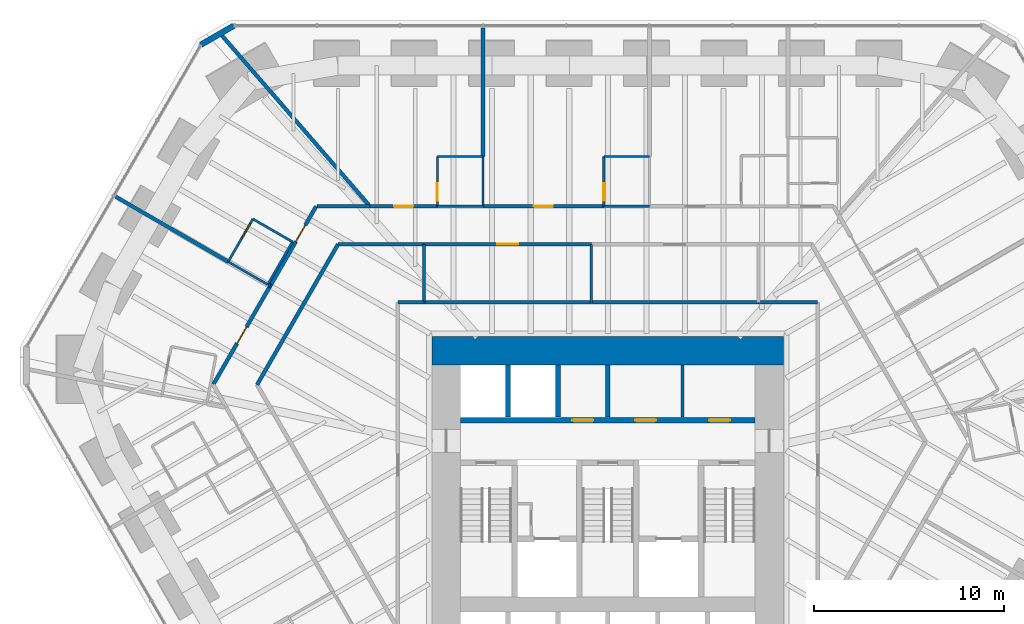
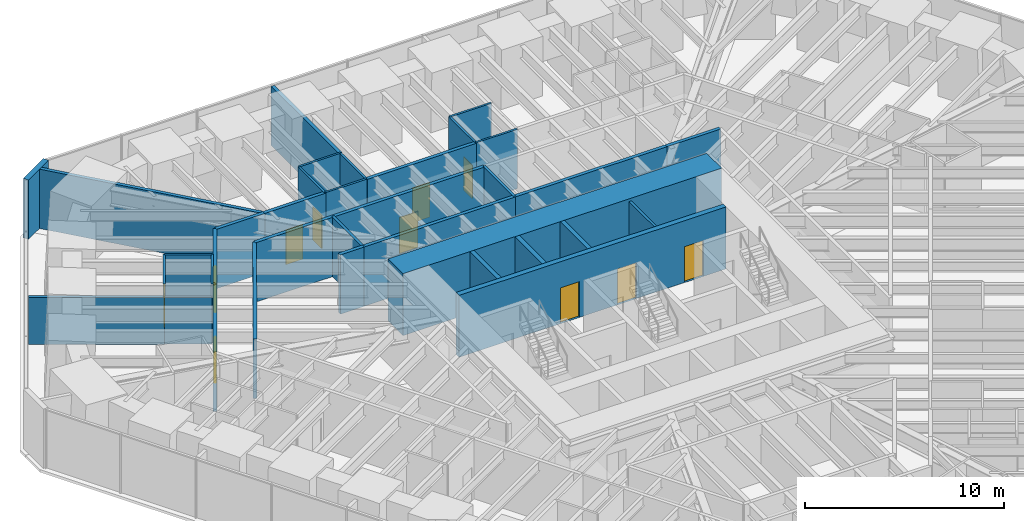
# One storey, part 14 of 17: 36 walls, 11 doors, 11 openings.
"""IFC4 building model written with IfcOpenShell, lengths in metres."""

from ifc_helpers import new_model, si_unit, direction, frame, frame_2d, origin, place, context, subcontext, project, spatial, rectangle, extrude, material, layer, layer_set, type_object, element, fill, save


model = new_model("IFC4")

# Units and contexts
model_context = context("Model", 3, precision=1e-05, world=origin(), true_north=direction((0.0, 1.0)))
body_context = subcontext(model_context, "Body", "Model", "MODEL_VIEW")
ifc_project = project(units=[si_unit("LENGTHUNIT", "METRE"), si_unit("AREAUNIT", "SQUARE_METRE"), si_unit("VOLUMEUNIT", "CUBIC_METRE"), si_unit("PLANEANGLEUNIT", "RADIAN"), si_unit("MASSUNIT", "GRAM", prefix="KILO")], contexts=[model_context])

# Site, building, storey
site_placement = place(None, origin())
site = spatial("IfcSite", under=ifc_project, at=site_placement, CompositionType="ELEMENT")
building_placement = place(site_placement, origin())
building = spatial("IfcBuilding", under=site, at=building_placement, Name="Sandreach Pilgrim Tower", CompositionType="ELEMENT")
storey_placement = place(building_placement, frame((0.0, 0.0, 76.199951171875)))
storey = spatial("IfcBuildingStorey", under=building, at=storey_placement, Name="L18", CompositionType="ELEMENT", Elevation=76.199951171875)

# Walls
ifc_material_1 = material(Name="Gypsum board on steel studs", Category="steel")
ifc_layer_1 = layer(ifc_material_1, 0.14990234375)
ifc_layer_set_1 = layer_set([ifc_layer_1], Name="Back of house wall 150")
wall_type_1 = type_object("IfcWallType", Name="Back of house wall 150", PredefinedType="PARTITIONING", material=ifc_layer_set_1)
for number, where, z_axis, x_axis, name in (
    (1, (-9.659912109375, 12.449951171875, 0.0), (0.0, 0.0, 1.0), (0.0, -1.0, 0.0), "Back of house wall L18-047"),
    (2, (-0.8701171875, 12.449951171875, 0.0), (0.0, 0.0, 1.0), (0.0, -1.0, 0.0), "Back of house wall L18-064"),
):
    element("IfcWall", number, at=place(storey_placement, frame(where, z_axis=z_axis, x_axis=x_axis)), inside=storey, type_object=wall_type_1, Name=name, PredefinedType="PARTITIONING", context=body_context, shape_type="SweptSolid", body=[
        extrude(rectangle(XDim=3.050048828125, YDim=0.14990234375, at=frame_2d((1.52490234375, 0.0))), origin(), (0.0, 0.0, 1.0), 3.64013671875),
    ])
wall_1_placement = place(storey_placement, frame((3.9375, 3.35009765625, 0.0), z_axis=(0.0, 0.0, 1.0), x_axis=(0.0, 1.0, 0.0)))
element("IfcWall", 3, at=wall_1_placement, inside=storey, type_object=wall_type_1, Name="Core room partition L18 1", PredefinedType="PARTITIONING", context=body_context, shape_type="SweptSolid", body=[
    extrude(rectangle(XDim=2.75, YDim=0.14990234375, at=frame_2d((1.375, 0.0))), origin(), (0.0, 0.0, 1.0), 3.64013671875),
])
ifc_material_2 = material(Name="Moisture-resistant gypsum board on steel studs", Category="steel")
ifc_layer_2 = layer(ifc_material_2, 0.1201171875)
ifc_layer_set_2 = layer_set([ifc_layer_2], Name="Bathroom partition 120")
wall_type_2 = type_object("IfcWallType", Name="Bathroom partition 120", PredefinedType="PARTITIONING", material=ifc_layer_set_2)
wall_2_placement = place(storey_placement, frame((-19.969970703125, 11.530029296875, 0.0), z_axis=(0.0, 0.0, 1.0), x_axis=(0.866177122335, -0.499737123639, 0.0)))
element("IfcWall", 4, at=wall_2_placement, inside=storey, type_object=wall_type_2, Name="Bathroom partition L18-020", PredefinedType="PARTITIONING", context=body_context, shape_type="SweptSolid", body=[
    extrude(rectangle(XDim=2.401123046875, YDim=0.1201171875, at=frame_2d((1.20068359375, 0.0))), origin(), (0.0, 0.0, 1.0), 2.8603515625),
])

# Wall, opening, door
wall_3_placement = place(storey_placement, frame((-18.669921875, 13.780029296875, 0.0), z_axis=(0.0, 0.0, 1.0), x_axis=(-0.500291685314, -0.865856933682, 0.0)))
wall_3 = element("IfcWall", 5, at=wall_3_placement, inside=storey, type_object=wall_type_2, Name="Bathroom partition L18-023", PredefinedType="PARTITIONING", context=body_context, shape_type="SweptSolid", body=[
    extrude(rectangle(XDim=2.5986328125, YDim=0.1201171875, at=frame_2d((1.29931640625, 0.0))), origin(), (0.0, 0.0, 1.0), 3.64013671875),
])
opening_1_placement = place(wall_3_placement, frame((0.300048828125, 0.0, 0.0)))
opening_1 = element("IfcOpeningElement", 6, at=opening_1_placement, cuts=wall_3, Name="Opening D09-18B", PredefinedType="OPENING", context=body_context, shape_type="SweptSolid", body=[
    extrude(rectangle(XDim=0.89990234375, YDim=2.030029296875, at=frame_2d((0.449951171875, 1.01513671875))), frame((0.0, 0.06005859375, 0.0), z_axis=(0.0, -1.0, 0.0), x_axis=(1.0, 0.0, 0.0)), (0.0, 0.0, 1.0), 0.1201171875),
])
ifc_material_3 = material(Name="Timber door, steel frame", Category="steel")
door_type_1 = type_object("IfcDoorType", Name="Bathroom door", OperationType="SINGLE_SWING_LEFT", PredefinedType="DOOR", material=ifc_material_3)
door_1_placement = place(opening_1_placement, origin())
door_1 = element("IfcDoor", 7, at=door_1_placement, inside=storey, type_object=door_type_1, Name="Door 1818B", OperationType="SINGLE_SWING_LEFT", OverallHeight=2.030029296875, OverallWidth=0.89990234375, PredefinedType="DOOR", context=body_context, shape_type="SweptSolid", body=[
    extrude(rectangle(XDim=0.89990234375, YDim=2.030029296875, at=frame_2d((0.449951171875, 1.01513671875))), frame((0.0, 0.02490234375, 0.0), z_axis=(0.0, -1.0, 0.0), x_axis=(1.0, 0.0, 0.0)), (0.0, 0.0, 1.0), 0.050048828125),
])
fill(opening_1, door_1)

# Walls
wall_4_placement = place(storey_placement, frame((-17.889892578125, 10.330078125, 0.0), z_axis=(0.0, 0.0, 1.0), x_axis=(0.500221244143, 0.865897630733, 0.0)))
element("IfcWall", 8, at=wall_4_placement, inside=storey, type_object=wall_type_2, Name="Bathroom partition L18-025", PredefinedType="PARTITIONING", context=body_context, shape_type="SweptSolid", body=[
    extrude(rectangle(XDim=2.598388671875, YDim=0.1201171875, at=frame_2d((1.29931640625, 0.0))), origin(), (0.0, 0.0, 1.0), 3.64013671875),
])
wall_5_placement = place(storey_placement, frame((-16.590087890625, 12.580078125, 0.0), z_axis=(0.0, 0.0, 1.0), x_axis=(-0.866177122335, 0.499737123639, 0.0)))
element("IfcWall", 9, at=wall_5_placement, inside=storey, type_object=wall_type_2, Name="Bathroom partition L18-032", PredefinedType="PARTITIONING", context=body_context, shape_type="SweptSolid", body=[
    extrude(rectangle(XDim=2.401123046875, YDim=0.1201171875, at=frame_2d((1.20068359375, 0.0))), origin(), (0.0, 0.0, 1.0), 3.64013671875),
])

# Wall, opening, door
wall_6_placement = place(storey_placement, frame((-8.9599609375, 17.070068359375, 0.0), z_axis=(0.0, 0.0, 1.0), x_axis=(0.0, -1.0, 0.0)))
wall_6 = element("IfcWall", 10, at=wall_6_placement, inside=storey, type_object=wall_type_2, Name="Bathroom partition L18-050", PredefinedType="PARTITIONING", context=body_context, shape_type="SweptSolid", body=[
    extrude(rectangle(XDim=2.6201171875, YDim=0.1201171875, at=frame_2d((1.31005859375, 0.0))), origin(), (0.0, 0.0, 1.0), 3.64013671875),
])
opening_2_placement = place(wall_6_placement, frame((1.419921875, 0.0, 0.0)))
opening_2 = element("IfcOpeningElement", 11, at=opening_2_placement, cuts=wall_6, Name="Opening D09-01B", PredefinedType="OPENING", context=body_context, shape_type="SweptSolid", body=[
    extrude(rectangle(XDim=0.89990234375, YDim=2.030029296875, at=frame_2d((0.449951171875, 1.01513671875))), frame((0.0, 0.06005859375, 0.0), z_axis=(0.0, -1.0, 0.0), x_axis=(1.0, 0.0, 0.0)), (0.0, 0.0, 1.0), 0.1201171875),
])
door_2_placement = place(opening_2_placement, origin())
door_2 = element("IfcDoor", 12, at=door_2_placement, inside=storey, type_object=door_type_1, Name="Door 1801B", OperationType="SINGLE_SWING_RIGHT", OverallHeight=2.030029296875, OverallWidth=0.89990234375, PredefinedType="DOOR", context=body_context, shape_type="SweptSolid", body=[
    extrude(rectangle(XDim=0.89990234375, YDim=2.030029296875, at=frame_2d((0.449951171875, 1.01513671875))), frame((0.0, 0.02490234375, 0.0), z_axis=(0.0, -1.0, 0.0), x_axis=(1.0, 0.0, 0.0)), (0.0, 0.0, 1.0), 0.050048828125),
])
fill(opening_2, door_2)

# Walls
for number, where, z_axis, x_axis, name in (
    (13, (-6.56005859375, 14.449951171875, 0.0), (0.0, 0.0, 1.0), (-1.0, 0.0, 0.0), "Bathroom partition L18-053"),
    (14, (-6.56005859375, 17.070068359375, 0.0), (0.0, 0.0, 1.0), (-1.0, 0.0, 0.0), "Bathroom partition L18-054"),
):
    element("IfcWall", number, at=place(storey_placement, frame(where, z_axis=z_axis, x_axis=x_axis)), inside=storey, type_object=wall_type_2, Name=name, PredefinedType="PARTITIONING", context=body_context, shape_type="SweptSolid", body=[
        extrude(rectangle(XDim=2.39990234375, YDim=0.1201171875, at=frame_2d((1.199951171875, 0.0))), origin(), (0.0, 0.0, 1.0), 3.64013671875),
    ])
wall_7_placement = place(storey_placement, frame((-6.56005859375, 17.070068359375, 0.0), z_axis=(0.0, 0.0, 1.0), x_axis=(0.0, -1.0, 0.0)))
element("IfcWall", 15, at=wall_7_placement, inside=storey, type_object=wall_type_2, Name="Bathroom partition L18-055", PredefinedType="PARTITIONING", context=body_context, shape_type="SweptSolid", body=[
    extrude(rectangle(XDim=2.6201171875, YDim=0.1201171875, at=frame_2d((1.31005859375, 0.0))), origin(), (0.0, 0.0, 1.0), 3.64013671875),
])

# Wall, opening, door
wall_8_placement = place(storey_placement, frame((-0.2099609375, 17.070068359375, 0.0), z_axis=(0.0, 0.0, 1.0), x_axis=(0.0, -1.0, 0.0)))
wall_8 = element("IfcWall", 16, at=wall_8_placement, inside=storey, type_object=wall_type_2, Name="Bathroom partition L18-067", PredefinedType="PARTITIONING", context=body_context, shape_type="SweptSolid", body=[
    extrude(rectangle(XDim=2.6201171875, YDim=0.1201171875, at=frame_2d((1.31005859375, 0.0))), origin(), (0.0, 0.0, 1.0), 3.64013671875),
])
opening_3_placement = place(wall_8_placement, frame((1.419921875, 0.0, 0.0)))
opening_3 = element("IfcOpeningElement", 17, at=opening_3_placement, cuts=wall_8, Name="Opening D09-02B", PredefinedType="OPENING", context=body_context, shape_type="SweptSolid", body=[
    extrude(rectangle(XDim=0.89990234375, YDim=2.030029296875, at=frame_2d((0.449951171875, 1.01513671875))), frame((0.0, 0.06005859375, 0.0), z_axis=(0.0, -1.0, 0.0), x_axis=(1.0, 0.0, 0.0)), (0.0, 0.0, 1.0), 0.1201171875),
])
door_3_placement = place(opening_3_placement, origin())
door_3 = element("IfcDoor", 18, at=door_3_placement, inside=storey, type_object=door_type_1, Name="Door 1802B", OperationType="SINGLE_SWING_RIGHT", OverallHeight=2.030029296875, OverallWidth=0.89990234375, PredefinedType="DOOR", context=body_context, shape_type="SweptSolid", body=[
    extrude(rectangle(XDim=0.89990234375, YDim=2.030029296875, at=frame_2d((0.449951171875, 1.01513671875))), frame((0.0, 0.02490234375, 0.0), z_axis=(0.0, -1.0, 0.0), x_axis=(1.0, 0.0, 0.0)), (0.0, 0.0, 1.0), 0.050048828125),
])
fill(opening_3, door_3)

# Walls
for number, where, z_axis, x_axis, name in (
    (19, (2.18994140625, 14.449951171875, 0.0), (0.0, 0.0, 1.0), (-1.0, 0.0, 0.0), "Bathroom partition L18-077"),
    (20, (2.18994140625, 17.070068359375, 0.0), (0.0, 0.0, 1.0), (-1.0, 0.0, 0.0), "Bathroom partition L18-078"),
):
    element("IfcWall", number, at=place(storey_placement, frame(where, z_axis=z_axis, x_axis=x_axis)), inside=storey, type_object=wall_type_2, Name=name, PredefinedType="PARTITIONING", context=body_context, shape_type="SweptSolid", body=[
        extrude(rectangle(XDim=2.39990234375, YDim=0.1201171875, at=frame_2d((1.199951171875, 0.0))), origin(), (0.0, 0.0, 1.0), 3.64013671875),
    ])

# Wall, openings, doors
ifc_material_4 = material(Name="Concrete 10000 psi", Category="concrete")
ifc_layer_3 = layer(ifc_material_4, 0.300048828125)
ifc_layer_set_3 = layer_set([ifc_layer_3], Name="Core inner wall 300")
wall_type_3 = type_object("IfcWallType", Name="Core inner wall 300", PredefinedType="SHEAR", material=ifc_layer_set_3)
wall_9_placement = place(storey_placement, frame((-7.75, 3.199951171875, 0.0), z_axis=(0.0, 0.0, 1.0), x_axis=(1.0, 0.0, 0.0)))
wall_9 = element("IfcWall", 21, at=wall_9_placement, inside=storey, type_object=wall_type_3, Name="Core wall PN L18", PredefinedType="SHEAR", context=body_context, shape_type="SweptSolid", body=[
    extrude(rectangle(XDim=15.5, YDim=0.300048828125, at=frame_2d((7.75, 0.0))), origin(), (0.0, 0.0, 1.0), 3.800048828125),
])
opening_4_placement = place(wall_9_placement, frame((5.887451171875, 0.0, 0.0)))
opening_4 = element("IfcOpeningElement", 22, at=opening_4_placement, cuts=wall_9, Name="Opening D11L", PredefinedType="OPENING", context=body_context, shape_type="SweptSolid", body=[
    extrude(rectangle(XDim=1.10009765625, YDim=2.199951171875, at=frame_2d((0.550048828125, 1.10009765625))), frame((0.0, 0.14990234375, 0.0), z_axis=(0.0, -1.0, 0.0), x_axis=(1.0, 0.0, 0.0)), (0.0, 0.0, 1.0), 0.300048828125),
])
opening_5_placement = place(wall_9_placement, frame((9.19384765625, 0.0, 0.0)))
opening_5 = element("IfcOpeningElement", 23, at=opening_5_placement, cuts=wall_9, Name="Opening D11L", PredefinedType="OPENING", context=body_context, shape_type="SweptSolid", body=[
    extrude(rectangle(XDim=1.10009765625, YDim=2.199951171875, at=frame_2d((0.550048828125, 1.10009765625))), frame((0.0, 0.14990234375, 0.0), z_axis=(0.0, -1.0, 0.0), x_axis=(1.0, 0.0, 0.0)), (0.0, 0.0, 1.0), 0.300048828125),
])
opening_6_placement = place(wall_9_placement, frame((13.081298828125, 0.0, 0.0)))
opening_6 = element("IfcOpeningElement", 24, at=opening_6_placement, cuts=wall_9, Name="Opening D11L", PredefinedType="OPENING", context=body_context, shape_type="SweptSolid", body=[
    extrude(rectangle(XDim=1.10009765625, YDim=2.199951171875, at=frame_2d((0.550048828125, 1.10009765625))), frame((0.0, 0.14990234375, 0.0), z_axis=(0.0, -1.0, 0.0), x_axis=(1.0, 0.0, 0.0)), (0.0, 0.0, 1.0), 0.300048828125),
])
ifc_material_5 = material(Name="Steel door and frame, smoke seals", Category="steel")
door_type_2 = type_object("IfcDoorType", Name="Core room door", OperationType="SINGLE_SWING_LEFT", PredefinedType="DOOR", material=ifc_material_5)
door_4_placement = place(opening_4_placement, origin())
door_4 = element("IfcDoor", 25, at=door_4_placement, inside=storey, type_object=door_type_2, Name="Door vending and ice room 18K1", OperationType="SINGLE_SWING_LEFT", OverallHeight=2.199951171875, OverallWidth=1.10009765625, PredefinedType="DOOR", context=body_context, shape_type="SweptSolid", body=[
    extrude(rectangle(XDim=1.10009765625, YDim=2.199951171875, at=frame_2d((0.550048828125, 1.10009765625))), frame((0.0, 0.02490234375, 0.0), z_axis=(0.0, -1.0, 0.0), x_axis=(1.0, 0.0, 0.0)), (0.0, 0.0, 1.0), 0.050048828125),
])
fill(opening_4, door_4)
door_5_placement = place(opening_5_placement, origin())
door_5 = element("IfcDoor", 26, at=door_5_placement, inside=storey, type_object=door_type_2, Name="Door linen store 18K2", OperationType="SINGLE_SWING_RIGHT", OverallHeight=2.199951171875, OverallWidth=1.10009765625, PredefinedType="DOOR", context=body_context, shape_type="SweptSolid", body=[
    extrude(rectangle(XDim=1.10009765625, YDim=2.199951171875, at=frame_2d((0.550048828125, 1.10009765625))), frame((0.0, 0.02490234375, 0.0), z_axis=(0.0, -1.0, 0.0), x_axis=(1.0, 0.0, 0.0)), (0.0, 0.0, 1.0), 0.050048828125),
])
fill(opening_5, door_5)
door_6_placement = place(opening_6_placement, origin())
door_6 = element("IfcDoor", 27, at=door_6_placement, inside=storey, type_object=door_type_2, Name="Door cleaners store 18K3", OperationType="SINGLE_SWING_RIGHT", OverallHeight=2.199951171875, OverallWidth=1.10009765625, PredefinedType="DOOR", context=body_context, shape_type="SweptSolid", body=[
    extrude(rectangle(XDim=1.10009765625, YDim=2.199951171875, at=frame_2d((0.550048828125, 1.10009765625))), frame((0.0, 0.02490234375, 0.0), z_axis=(0.0, -1.0, 0.0), x_axis=(1.0, 0.0, 0.0)), (0.0, 0.0, 1.0), 0.050048828125),
])
fill(opening_6, door_6)

# Wall
ifc_material_6 = material(Name="Concrete 10000 psi", Category="concrete")
ifc_layer_4 = layer(ifc_material_6, 1.5)
ifc_layer_set_4 = layer_set([ifc_layer_4], Name="Core wall 1500")
wall_type_4 = type_object("IfcWallType", Name="Core wall 1500", PredefinedType="SHEAR", material=ifc_layer_set_4)
wall_10_placement = place(storey_placement, frame((-9.25, 6.85009765625, 0.0), z_axis=(0.0, 0.0, 1.0), x_axis=(1.0, 0.0, 0.0)))
element("IfcWall", 28, at=wall_10_placement, inside=storey, type_object=wall_type_4, Name="Core wall N L18", PredefinedType="SHEAR", context=body_context, shape_type="SweptSolid", body=[
    extrude(rectangle(XDim=18.5, YDim=1.5, at=frame_2d((9.25, 0.0))), origin(), (0.0, 0.0, 1.0), 3.800048828125),
])

# Wall, opening, door
ifc_material_7 = material(Name="Gypsum board on steel studs, two layers each side", Category="steel")
ifc_layer_5 = layer(ifc_material_7, 0.199951171875)
ifc_layer_set_5 = layer_set([ifc_layer_5], Name="Corridor wall 200")
wall_type_5 = type_object("IfcWallType", Name="Corridor wall 200", PredefinedType="PARTITIONING", material=ifc_layer_set_5)
wall_11_placement = place(storey_placement, frame((-20.74755859375, 5.08154296875, 0.0), z_axis=(0.0, 0.0, 1.0), x_axis=(0.499925128535, 0.86606862653, 0.0)))
wall_11 = element("IfcWall", 29, at=wall_11_placement, inside=storey, type_object=wall_type_5, Name="Corridor wall L18-015", PredefinedType="PARTITIONING", context=body_context, shape_type="SweptSolid", body=[
    extrude(rectangle(XDim=5.978515625, YDim=0.199951171875, at=frame_2d((2.9892578125, 0.0))), origin(), (0.0, 0.0, 1.0), 3.64013671875),
])
opening_7_placement = place(wall_11_placement, frame((2.489013671875, 0.0, 0.0)))
opening_7 = element("IfcOpeningElement", 30, at=opening_7_placement, cuts=wall_11, Name="Opening D10-17", PredefinedType="OPENING", context=body_context, shape_type="SweptSolid", body=[
    extrude(rectangle(XDim=1.0, YDim=2.1298828125, at=frame_2d((0.5, 1.06494140625))), frame((0.0, 0.10009765625, 0.0), z_axis=(0.0, -1.0, 0.0), x_axis=(1.0, 0.0, 0.0)), (0.0, 0.0, 1.0), 0.199951171875),
])
ifc_material_8 = material(Name="Steel door and frame", Category="steel")
door_type_3 = type_object("IfcDoorType", Name="Guest room entry door", OperationType="SINGLE_SWING_LEFT", PredefinedType="DOOR", material=ifc_material_8)
door_7_placement = place(opening_7_placement, origin())
door_7 = element("IfcDoor", 31, at=door_7_placement, inside=storey, type_object=door_type_3, Name="Door 1817", OperationType="SINGLE_SWING_LEFT", OverallHeight=2.1298828125, OverallWidth=1.0, PredefinedType="DOOR", context=body_context, shape_type="SweptSolid", body=[
    extrude(rectangle(XDim=1.0, YDim=2.1298828125, at=frame_2d((0.5, 1.06494140625))), frame((0.0, 0.02490234375, 0.0), z_axis=(0.0, -1.0, 0.0), x_axis=(1.0, 0.0, 0.0)), (0.0, 0.0, 1.0), 0.050048828125),
])
fill(opening_7, door_7)

# Wall
wall_12_placement = place(storey_placement, frame((-18.449951171875, 5.06005859375, 0.0), z_axis=(0.0, 0.0, 1.0), x_axis=(0.499424260127, 0.866357552282, 0.0)))
element("IfcWall", 32, at=wall_12_placement, inside=storey, type_object=wall_type_5, Name="Corridor wall L18-024", PredefinedType="PARTITIONING", context=body_context, shape_type="SweptSolid", body=[
    extrude(rectangle(XDim=8.52978515625, YDim=0.199951171875, at=frame_2d((4.264892578125, 0.0))), origin(), (0.0, 0.0, 1.0), 3.64013671875),
])

# Wall, opening, door
wall_13_placement = place(storey_placement, frame((-17.7587890625, 10.25927734375, 0.0), z_axis=(0.0, 0.0, 1.0), x_axis=(0.499878240725, 0.866095690123, 0.0)))
wall_13 = element("IfcWall", 33, at=wall_13_placement, inside=storey, type_object=wall_type_5, Name="Corridor wall L18-027", PredefinedType="PARTITIONING", context=body_context, shape_type="SweptSolid", body=[
    extrude(rectangle(XDim=4.838623046875, YDim=0.199951171875, at=frame_2d((2.41943359375, 0.0))), origin(), (0.0, 0.0, 1.0), 3.64013671875),
])
opening_8_placement = place(wall_13_placement, frame((2.699951171875, 0.0, 0.0)))
opening_8 = element("IfcOpeningElement", 34, at=opening_8_placement, cuts=wall_13, Name="Opening D10-18", PredefinedType="OPENING", context=body_context, shape_type="SweptSolid", body=[
    extrude(rectangle(XDim=1.0, YDim=2.1298828125, at=frame_2d((0.5, 1.06494140625))), frame((0.0, 0.10009765625, 0.0), z_axis=(0.0, -1.0, 0.0), x_axis=(1.0, 0.0, 0.0)), (0.0, 0.0, 1.0), 0.199951171875),
])
door_8_placement = place(opening_8_placement, origin())
door_8 = element("IfcDoor", 35, at=door_8_placement, inside=storey, type_object=door_type_3, Name="Door 1818", OperationType="SINGLE_SWING_RIGHT", OverallHeight=2.1298828125, OverallWidth=1.0, PredefinedType="DOOR", context=body_context, shape_type="SweptSolid", body=[
    extrude(rectangle(XDim=1.0, YDim=2.1298828125, at=frame_2d((0.5, 1.06494140625))), frame((0.0, 0.02490234375, 0.0), z_axis=(0.0, -1.0, 0.0), x_axis=(1.0, 0.0, 0.0)), (0.0, 0.0, 1.0), 0.050048828125),
])
fill(opening_8, door_8)

# Walls
wall_14_placement = place(storey_placement, frame((-14.18994140625, 12.449951171875, 0.0), z_axis=(0.0, 0.0, 1.0), x_axis=(1.0, 0.0, 0.0)))
element("IfcWall", 36, at=wall_14_placement, inside=storey, type_object=wall_type_5, Name="Corridor wall L18-035", PredefinedType="PARTITIONING", context=body_context, shape_type="SweptSolid", body=[
    extrude(rectangle(XDim=4.530029296875, YDim=0.199951171875, at=frame_2d((2.26513671875, 0.0))), origin(), (0.0, 0.0, 1.0), 3.64013671875),
])
wall_15_placement = place(storey_placement, frame((-12.510009765625, 14.449951171875, 0.0), z_axis=(0.0, 0.0, 1.0), x_axis=(-1.0, 0.0, 0.0)))
element("IfcWall", 37, at=wall_15_placement, inside=storey, type_object=wall_type_5, Name="Corridor wall L18-038", PredefinedType="PARTITIONING", context=body_context, shape_type="SweptSolid", body=[
    extrude(rectangle(XDim=2.7900390625, YDim=0.199951171875, at=frame_2d((1.39501953125, 0.0))), origin(), (0.0, 0.0, 1.0), 3.64013671875),
])
wall_16_placement = place(storey_placement, frame((-9.659912109375, 9.39990234375, 0.0), z_axis=(0.0, 0.0, 1.0), x_axis=(-1.0, 0.0, 0.0)))
element("IfcWall", 38, at=wall_16_placement, inside=storey, type_object=wall_type_5, Name="Corridor wall L18-046", PredefinedType="PARTITIONING", context=body_context, shape_type="SweptSolid", body=[
    extrude(rectangle(XDim=1.380126953125, YDim=0.199951171875, at=frame_2d((0.68994140625, 0.0))), origin(), (0.0, 0.0, 1.0), 3.64013671875),
])

# Wall, opening, door
wall_17_placement = place(storey_placement, frame((-9.659912109375, 12.449951171875, 0.0), z_axis=(0.0, 0.0, 1.0), x_axis=(1.0, 0.0, 0.0)))
wall_17 = element("IfcWall", 39, at=wall_17_placement, inside=storey, type_object=wall_type_5, Name="Corridor wall L18-048", PredefinedType="PARTITIONING", context=body_context, shape_type="SweptSolid", body=[
    extrude(rectangle(XDim=8.789794921875, YDim=0.199951171875, at=frame_2d((4.39501953125, 0.0))), origin(), (0.0, 0.0, 1.0), 3.64013671875),
])
opening_9_placement = place(wall_17_placement, frame((3.844970703125, 0.0, 0.0)))
opening_9 = element("IfcOpeningElement", 40, at=opening_9_placement, cuts=wall_17, Name="Opening D11H-M02", PredefinedType="OPENING", context=body_context, shape_type="SweptSolid", body=[
    extrude(rectangle(XDim=1.10009765625, YDim=2.199951171875, at=frame_2d((0.550048828125, 1.10009765625))), frame((0.0, 0.10009765625, 0.0), z_axis=(0.0, -1.0, 0.0), x_axis=(1.0, 0.0, 0.0)), (0.0, 0.0, 1.0), 0.199951171875),
])
ifc_material_9 = material(Name="Steel door and frame", Category="steel")
door_type_4 = type_object("IfcDoorType", Name="Back of house door", OperationType="SINGLE_SWING_LEFT", PredefinedType="DOOR", material=ifc_material_9)
door_9_placement = place(opening_9_placement, origin())
door_9 = element("IfcDoor", 41, at=door_9_placement, inside=storey, type_object=door_type_4, Name="Door 18M02", OperationType="SINGLE_SWING_LEFT", OverallHeight=2.199951171875, OverallWidth=1.10009765625, PredefinedType="DOOR", context=body_context, shape_type="SweptSolid", body=[
    extrude(rectangle(XDim=1.10009765625, YDim=2.199951171875, at=frame_2d((0.550048828125, 1.10009765625))), frame((0.0, 0.02490234375, 0.0), z_axis=(0.0, -1.0, 0.0), x_axis=(1.0, 0.0, 0.0)), (0.0, 0.0, 1.0), 0.050048828125),
])
fill(opening_9, door_9)

wall_18_placement = place(storey_placement, frame((-8.9599609375, 14.449951171875, 0.0), z_axis=(0.0, 0.0, 1.0), x_axis=(-1.0, 0.0, 0.0)))
wall_18 = element("IfcWall", 42, at=wall_18_placement, inside=storey, type_object=wall_type_5, Name="Corridor wall L18-049", PredefinedType="PARTITIONING", context=body_context, shape_type="SweptSolid", body=[
    extrude(rectangle(XDim=3.550048828125, YDim=0.199951171875, at=frame_2d((1.77490234375, 0.0))), origin(), (0.0, 0.0, 1.0), 3.64013671875),
])
opening_10_placement = place(wall_18_placement, frame((1.27490234375, 0.0, 0.0)))
opening_10 = element("IfcOpeningElement", 43, at=opening_10_placement, cuts=wall_18, Name="Opening D10-01", PredefinedType="OPENING", context=body_context, shape_type="SweptSolid", body=[
    extrude(rectangle(XDim=1.0, YDim=2.1298828125, at=frame_2d((0.5, 1.06494140625))), frame((0.0, 0.10009765625, 0.0), z_axis=(0.0, -1.0, 0.0), x_axis=(1.0, 0.0, 0.0)), (0.0, 0.0, 1.0), 0.199951171875),
])
door_10_placement = place(opening_10_placement, origin())
door_10 = element("IfcDoor", 44, at=door_10_placement, inside=storey, type_object=door_type_3, Name="Door 1801", OperationType="SINGLE_SWING_LEFT", OverallHeight=2.1298828125, OverallWidth=1.0, PredefinedType="DOOR", context=body_context, shape_type="SweptSolid", body=[
    extrude(rectangle(XDim=1.0, YDim=2.1298828125, at=frame_2d((0.5, 1.06494140625))), frame((0.0, 0.02490234375, 0.0), z_axis=(0.0, -1.0, 0.0), x_axis=(1.0, 0.0, 0.0)), (0.0, 0.0, 1.0), 0.050048828125),
])
fill(opening_10, door_10)

# Wall
wall_19_placement = place(storey_placement, frame((-0.8701171875, 9.39990234375, 0.0), z_axis=(0.0, 0.0, 1.0), x_axis=(-1.0, 0.0, 0.0)))
element("IfcWall", 45, at=wall_19_placement, inside=storey, type_object=wall_type_5, Name="Corridor wall L18-063", PredefinedType="PARTITIONING", context=body_context, shape_type="SweptSolid", body=[
    extrude(rectangle(XDim=8.789794921875, YDim=0.199951171875, at=frame_2d((4.39501953125, 0.0))), origin(), (0.0, 0.0, 1.0), 3.64013671875),
])

# Wall, opening, door
wall_20_placement = place(storey_placement, frame((-0.2099609375, 14.449951171875, 0.0), z_axis=(0.0, 0.0, 1.0), x_axis=(-1.0, 0.0, 0.0)))
wall_20 = element("IfcWall", 46, at=wall_20_placement, inside=storey, type_object=wall_type_5, Name="Corridor wall L18-066", PredefinedType="PARTITIONING", context=body_context, shape_type="SweptSolid", body=[
    extrude(rectangle(XDim=6.35009765625, YDim=0.199951171875, at=frame_2d((3.175048828125, 0.0))), origin(), (0.0, 0.0, 1.0), 3.64013671875),
])
opening_11_placement = place(wall_20_placement, frame((2.675048828125, 0.0, 0.0)))
opening_11 = element("IfcOpeningElement", 47, at=opening_11_placement, cuts=wall_20, Name="Opening D10-02", PredefinedType="OPENING", context=body_context, shape_type="SweptSolid", body=[
    extrude(rectangle(XDim=1.0, YDim=2.1298828125, at=frame_2d((0.5, 1.06494140625))), frame((0.0, 0.10009765625, 0.0), z_axis=(0.0, -1.0, 0.0), x_axis=(1.0, 0.0, 0.0)), (0.0, 0.0, 1.0), 0.199951171875),
])
door_11_placement = place(opening_11_placement, origin())
door_11 = element("IfcDoor", 48, at=door_11_placement, inside=storey, type_object=door_type_3, Name="Door 1802", OperationType="SINGLE_SWING_LEFT", OverallHeight=2.1298828125, OverallWidth=1.0, PredefinedType="DOOR", context=body_context, shape_type="SweptSolid", body=[
    extrude(rectangle(XDim=1.0, YDim=2.1298828125, at=frame_2d((0.5, 1.06494140625))), frame((0.0, 0.02490234375, 0.0), z_axis=(0.0, -1.0, 0.0), x_axis=(1.0, 0.0, 0.0)), (0.0, 0.0, 1.0), 0.050048828125),
])
fill(opening_11, door_11)

# Walls
wall_21_placement = place(storey_placement, frame((7.929931640625, 9.39990234375, 0.0), z_axis=(0.0, 0.0, 1.0), x_axis=(-1.0, 0.0, 0.0)))
element("IfcWall", 49, at=wall_21_placement, inside=storey, type_object=wall_type_5, Name="Corridor wall L18-097", PredefinedType="PARTITIONING", context=body_context, shape_type="SweptSolid", body=[
    extrude(rectangle(XDim=8.800048828125, YDim=0.199951171875, at=frame_2d((4.39990234375, 0.0))), origin(), (0.0, 0.0, 1.0), 3.64013671875),
])
wall_22_placement = place(storey_placement, frame((11.0400390625, 9.39990234375, 0.0), z_axis=(0.0, 0.0, 1.0), x_axis=(-1.0, 0.0, 0.0)))
element("IfcWall", 50, at=wall_22_placement, inside=storey, type_object=wall_type_5, Name="Corridor wall L18-116", PredefinedType="PARTITIONING", context=body_context, shape_type="SweptSolid", body=[
    extrude(rectangle(XDim=3.110107421875, YDim=0.199951171875, at=frame_2d((1.55517578125, 0.0))), origin(), (0.0, 0.0, 1.0), 3.64013671875),
])
ifc_material_10 = material(Name="Double steel stud acoustic wall, gypsum board", Category="steel")
ifc_layer_6 = layer(ifc_material_10, 0.199951171875)
ifc_layer_set_6 = layer_set([ifc_layer_6], Name="Party wall 200")
wall_type_6 = type_object("IfcWallType", Name="Party wall 200", PredefinedType="PARTITIONING", material=ifc_layer_set_6)
wall_23_placement = place(storey_placement, frame((-25.88623046875, 14.949951171875, 0.0), z_axis=(0.0, 0.0, 1.0), x_axis=(0.865761194987, -0.500457344092, 0.0)))
element("IfcWall", 51, at=wall_23_placement, inside=storey, type_object=wall_type_6, Name="Party wall L18-003", PredefinedType="PARTITIONING", context=body_context, shape_type="SweptSolid", body=[
    extrude(rectangle(XDim=6.83349609375, YDim=0.199951171875, at=frame_2d((3.416748046875, 0.0))), origin(), (0.0, 0.0, 1.0), 2.8603515625),
])
wall_24_placement = place(storey_placement, frame((-17.837158203125, 10.301513671875, 0.0), z_axis=(0.0, 0.0, 1.0), x_axis=(0.880650010303, -0.473767410606, 0.0)))
element("IfcWall", 52, at=wall_24_placement, inside=storey, type_object=wall_type_6, Name="Party wall L18-026", PredefinedType="PARTITIONING", context=body_context, shape_type="SweptSolid", body=[
    extrude(rectangle(XDim=0.087646484375, YDim=0.199951171875, at=frame_2d((0.0439453125, 0.0))), origin(), (0.0, 0.0, 1.0), 3.64013671875),
])
wall_25_placement = place(storey_placement, frame((-12.578857421875, 14.529296875, 0.0), z_axis=(0.0, 0.0, 1.0), x_axis=(-0.655211574416, 0.755445426719, 0.0)))
element("IfcWall", 53, at=wall_25_placement, inside=storey, type_object=wall_type_6, Name="Party wall L18-037", PredefinedType="PARTITIONING", context=body_context, shape_type="SweptSolid", body=[
    extrude(rectangle(XDim=11.9375, YDim=0.199951171875, at=frame_2d((5.96875, 0.0))), origin(), (0.0, 0.0, 1.0), 3.64013671875),
])
wall_26_placement = place(storey_placement, frame((-6.56005859375, 23.830078125, 0.0), z_axis=(0.0, 0.0, 1.0), x_axis=(0.0, -1.0, 0.0)))
element("IfcWall", 54, at=wall_26_placement, inside=storey, type_object=wall_type_6, Name="Party wall L18-056", PredefinedType="PARTITIONING", context=body_context, shape_type="SweptSolid", body=[
    extrude(rectangle(XDim=6.760009765625, YDim=0.199951171875, at=frame_2d((3.3798828125, 0.0))), origin(), (0.0, 0.0, 1.0), 3.64013671875),
])
ifc_material_11 = material(Name="Gypsum shaft wall on steel studs, two layers of shaft liner board", Category="steel")
ifc_layer_7 = layer(ifc_material_11, 0.25)
ifc_layer_set_7 = layer_set([ifc_layer_7], Name="Shaft partition 250")
wall_type_7 = type_object("IfcWallType", Name="Shaft partition 250", PredefinedType="PARTITIONING", material=ifc_layer_set_7)
for number, where, z_axis, x_axis, name in (
    (55, (-5.25, 3.35009765625, 0.0), (0.0, 0.0, 1.0), (0.0, 1.0, 0.0), "Shaft partition NS0 L18"),
    (56, (-2.625, 3.35009765625, 0.0), (0.0, 0.0, 1.0), (0.0, 1.0, 0.0), "Shaft partition NS1 L18"),
    (57, (0.0, 3.35009765625, 0.0), (0.0, 0.0, 1.0), (0.0, 1.0, 0.0), "Shaft partition NS2 L18"),
):
    element("IfcWall", number, at=place(storey_placement, frame(where, z_axis=z_axis, x_axis=x_axis)), inside=storey, type_object=wall_type_7, Name=name, PredefinedType="PARTITIONING", context=body_context, shape_type="SweptSolid", body=[
        extrude(rectangle(XDim=2.75, YDim=0.25, at=frame_2d((1.375, 0.0))), origin(), (0.0, 0.0, 1.0), 3.800048828125),
    ])
ifc_material_12 = material(Name="Terracotta rainscreen on concrete", Category="masonry")
ifc_layer_8 = layer(ifc_material_12, 0.300048828125)
ifc_layer_set_8 = layer_set([ifc_layer_8], Name="Terracotta chamfer pier")
wall_type_8 = type_object("IfcWallType", Name="Terracotta chamfer pier", PredefinedType="SOLIDWALL", material=ifc_layer_set_8)
wall_27_placement = place(storey_placement, frame((-21.404052734375, 22.94873046875, 0.0), z_axis=(0.0, 0.0, 1.0), x_axis=(0.866010750942, 0.50002537861, 0.0)))
element("IfcWall", 58, at=wall_27_placement, inside=storey, type_object=wall_type_8, Name="Chamfer pier L18 NW", PredefinedType="SOLIDWALL", context=body_context, shape_type="SweptSolid", body=[
    extrude(rectangle(XDim=2.0, YDim=0.300048828125, at=frame_2d((1.0, 0.0))), origin(), (0.0, 0.0, 1.0), 3.64013671875),
])

save(model, "model.ifc")
